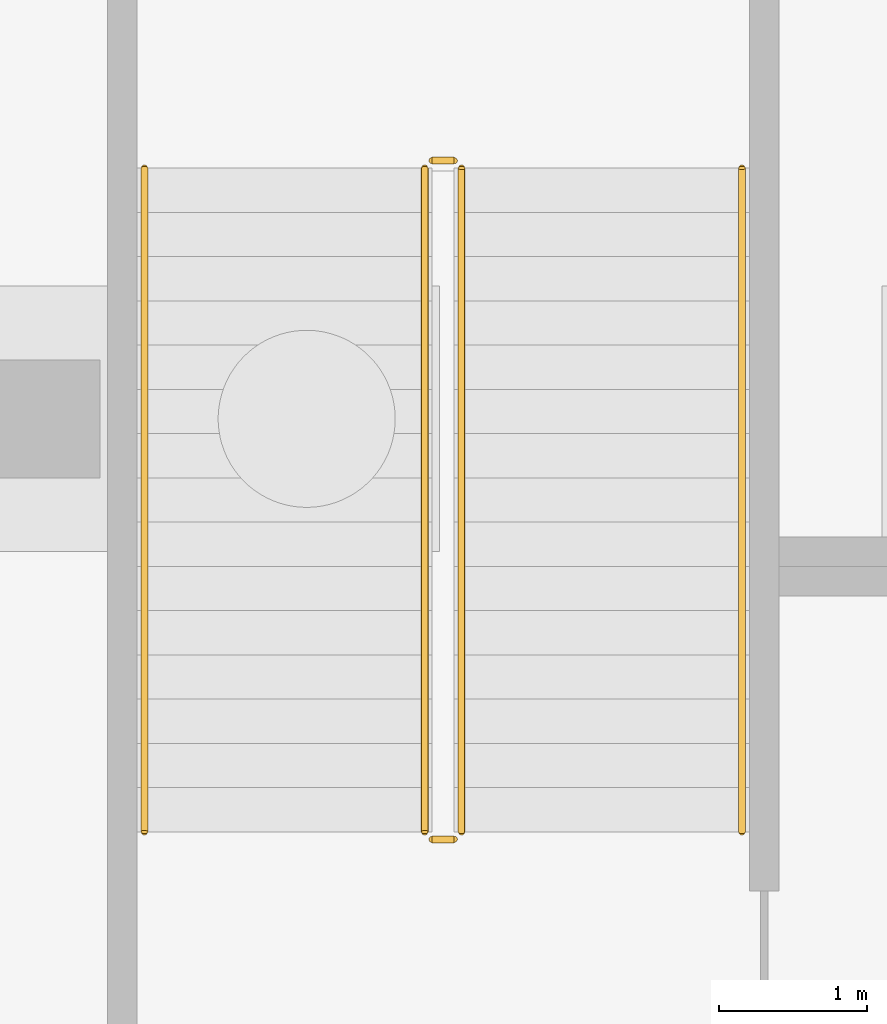
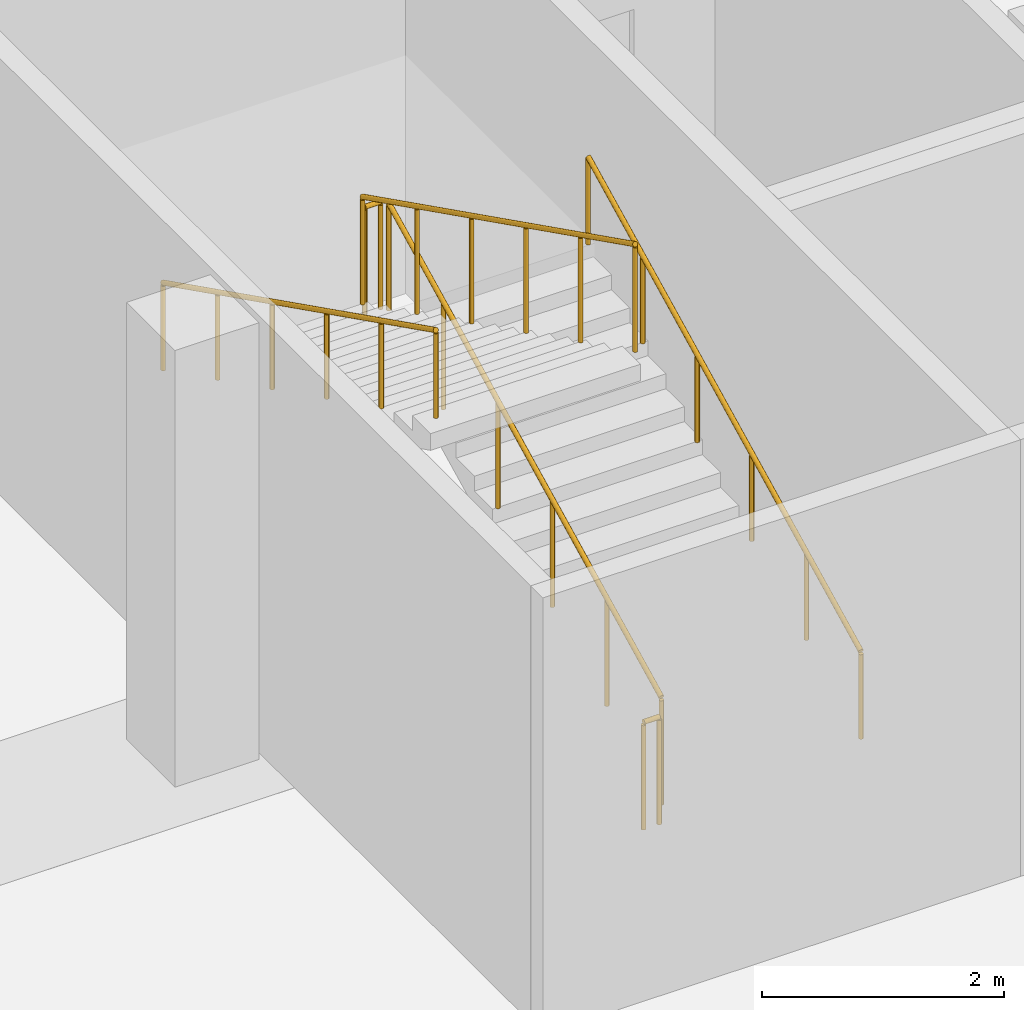
# One storey, part 38 of 46: 6 railings.
"""IFC4 building model written with IfcOpenShell, lengths in metres."""

from ifc_helpers import new_model, si_unit, direction, frame, origin, origin_2d, place, context, subcontext, project, spatial, circle, extrude, material, type_object, element, save


model = new_model("IFC4")

# Units and contexts
model_context = context("Model", 3, precision=1e-05, world=origin(), true_north=direction((0.0, 1.0)))
body_context = subcontext(model_context, "Body", "Model", "MODEL_VIEW")
ifc_project = project(units=[si_unit("LENGTHUNIT", "METRE"), si_unit("AREAUNIT", "SQUARE_METRE"), si_unit("VOLUMEUNIT", "CUBIC_METRE"), si_unit("PLANEANGLEUNIT", "RADIAN"), si_unit("MASSUNIT", "GRAM", prefix="KILO")], contexts=[model_context])

# Site, building, storey
site_placement = place(None, origin())
site = spatial("IfcSite", under=ifc_project, at=site_placement, CompositionType="ELEMENT")
building_placement = place(site_placement, origin())
building = spatial("IfcBuilding", under=site, at=building_placement, Name="Tamra Quay Hotel Tower", CompositionType="ELEMENT")
storey_placement = place(building_placement, frame((0.0, 0.0, -12.0)))
storey = spatial("IfcBuildingStorey", under=building, at=storey_placement, Name="B3", CompositionType="ELEMENT", Elevation=-12.0)

# Railings
ifc_material_1 = material(Name="Basement stair guard 1100")
railing_type_1 = type_object("IfcRailingType", Name="Basement stair guard 1100", PredefinedType="GUARDRAIL", material=ifc_material_1)
railing_1_placement = place(storey_placement, frame((22.949951171875, -66.800048828125, 0.14990234375)))
element("IfcRailing", 1, at=railing_1_placement, inside=storey, type_object=railing_type_1, Name="BSG", PredefinedType="GUARDRAIL", context=body_context, shape_type="SweptSolid", body=[
    extrude(circle(Radius=0.02392578125, at=origin_2d()), frame((0.0, 0.0, 1.076171875), z_axis=(0.0, 0.894427191, 0.4472135955), x_axis=(-1.0, 0.0, 0.0)), (0.0, 0.0, 1.0), 5.03125),
    extrude(circle(Radius=0.02099609375, at=origin_2d()), origin(), (0.0, 0.0, 1.0), 1.052001953125),
    extrude(circle(Radius=0.02099609375, at=origin_2d()), frame((0.0, 0.89990234375, 0.449951171875)), (0.0, 0.0, 1.0), 1.052001953125),
    extrude(circle(Radius=0.02099609375, at=origin_2d()), frame((0.0, 1.800048828125, 0.89990234375)), (0.0, 0.0, 1.0), 1.052001953125),
    extrude(circle(Radius=0.02099609375, at=origin_2d()), frame((0.0, 2.699951171875, 1.35009765625)), (0.0, 0.0, 1.0), 1.052001953125),
    extrude(circle(Radius=0.02099609375, at=origin_2d()), frame((0.0, 3.60009765625, 1.800048828125)), (0.0, 0.0, 1.0), 1.052001953125),
    extrude(circle(Radius=0.02099609375, at=origin_2d()), frame((0.0, 4.5, 2.25)), (0.0, 0.0, 1.0), 1.052001953125),
])
railing_2_placement = place(storey_placement, frame((22.89990234375, -62.25, 2.39990234375)))
element("IfcRailing", 2, at=railing_2_placement, inside=storey, type_object=railing_type_1, Name="BSG", PredefinedType="GUARDRAIL", context=body_context, shape_type="SweptSolid", body=[
    extrude(circle(Radius=0.02392578125, at=origin_2d()), frame((0.0, 0.0, 1.076171875), z_axis=(-1.0, 0.0, 0.0), x_axis=(0.0, -1.0, 0.0)), (0.0, 0.0, 1.0), 0.14990234375),
    extrude(circle(Radius=0.02099609375, at=origin_2d()), origin(), (0.0, 0.0, 1.0), 1.052001953125),
    extrude(circle(Radius=0.02099609375, at=origin_2d()), frame((-0.14990234375, 0.0, 0.0)), (0.0, 0.0, 1.0), 1.052001953125),
])
railing_3_placement = place(storey_placement, frame((22.699951171875, -62.300048828125, 2.550048828125)))
element("IfcRailing", 3, at=railing_3_placement, inside=storey, type_object=railing_type_1, Name="BSG", PredefinedType="GUARDRAIL", context=body_context, shape_type="SweptSolid", body=[
    extrude(circle(Radius=0.02392578125, at=origin_2d()), frame((0.0, 0.0, 1.076171875), z_axis=(0.0, -0.894427191, 0.4472135955), x_axis=(1.0, 0.0, 0.0)), (0.0, 0.0, 1.0), 5.03125),
    extrude(circle(Radius=0.02099609375, at=origin_2d()), origin(), (0.0, 0.0, 1.0), 1.052001953125),
    extrude(circle(Radius=0.02099609375, at=origin_2d()), frame((0.0, -0.89990234375, 0.449951171875)), (0.0, 0.0, 1.0), 1.052001953125),
    extrude(circle(Radius=0.02099609375, at=origin_2d()), frame((0.0, -1.800048828125, 0.89990234375)), (0.0, 0.0, 1.0), 1.052001953125),
    extrude(circle(Radius=0.02099609375, at=origin_2d()), frame((0.0, -2.699951171875, 1.35009765625)), (0.0, 0.0, 1.0), 1.052001953125),
    extrude(circle(Radius=0.02099609375, at=origin_2d()), frame((0.0, -3.60009765625, 1.800048828125)), (0.0, 0.0, 1.0), 1.052001953125),
    extrude(circle(Radius=0.02099609375, at=origin_2d()), frame((0.0, -4.5, 2.25)), (0.0, 0.0, 1.0), 1.052001953125),
])
railing_4_placement = place(storey_placement, frame((22.89990234375, -66.85009765625, 0.0)))
element("IfcRailing", 4, at=railing_4_placement, inside=storey, type_object=railing_type_1, Name="BSG", PredefinedType="GUARDRAIL", context=body_context, shape_type="SweptSolid", body=[
    extrude(circle(Radius=0.02392578125, at=origin_2d()), frame((0.0, 0.0, 1.076171875), z_axis=(-1.0, 0.0, 0.0), x_axis=(0.0, -1.0, 0.0)), (0.0, 0.0, 1.0), 0.14990234375),
    extrude(circle(Radius=0.02099609375, at=origin_2d()), origin(), (0.0, 0.0, 1.0), 1.052001953125),
    extrude(circle(Radius=0.02099609375, at=origin_2d()), frame((-0.14990234375, 0.0, 0.0)), (0.0, 0.0, 1.0), 1.052001953125),
])
ifc_material_2 = material(Name="Basement stair handrail 900")
railing_type_2 = type_object("IfcRailingType", Name="Basement stair handrail 900", PredefinedType="HANDRAIL", material=ifc_material_2)
railing_5_placement = place(storey_placement, frame((24.85009765625, -66.800048828125, 0.14990234375)))
element("IfcRailing", 5, at=railing_5_placement, inside=storey, type_object=railing_type_2, Name="BSH", PredefinedType="HANDRAIL", context=body_context, shape_type="SweptSolid", body=[
    extrude(circle(Radius=0.02392578125, at=origin_2d()), frame((0.0, 0.0, 0.8759765625), z_axis=(0.0, 0.894427191, 0.4472135955), x_axis=(-1.0, 0.0, 0.0)), (0.0, 0.0, 1.0), 5.03125),
    extrude(circle(Radius=0.02099609375, at=origin_2d()), origin(), (0.0, 0.0, 1.0), 0.851806640625),
    extrude(circle(Radius=0.02099609375, at=origin_2d()), frame((0.0, 0.89990234375, 0.449951171875)), (0.0, 0.0, 1.0), 0.851806640625),
    extrude(circle(Radius=0.02099609375, at=origin_2d()), frame((0.0, 1.800048828125, 0.89990234375)), (0.0, 0.0, 1.0), 0.851806640625),
    extrude(circle(Radius=0.02099609375, at=origin_2d()), frame((0.0, 2.699951171875, 1.35009765625)), (0.0, 0.0, 1.0), 0.851806640625),
    extrude(circle(Radius=0.02099609375, at=origin_2d()), frame((0.0, 3.60009765625, 1.800048828125)), (0.0, 0.0, 1.0), 0.851806640625),
    extrude(circle(Radius=0.02099609375, at=origin_2d()), frame((0.0, 4.5, 2.25)), (0.0, 0.0, 1.0), 0.851806640625),
])
railing_6_placement = place(storey_placement, frame((20.800048828125, -62.300048828125, 2.550048828125)))
element("IfcRailing", 6, at=railing_6_placement, inside=storey, type_object=railing_type_2, Name="BSH", PredefinedType="HANDRAIL", context=body_context, shape_type="SweptSolid", body=[
    extrude(circle(Radius=0.02392578125, at=origin_2d()), frame((0.0, 0.0, 0.8759765625), z_axis=(0.0, -0.894427191, 0.4472135955), x_axis=(1.0, 0.0, 0.0)), (0.0, 0.0, 1.0), 5.03125),
    extrude(circle(Radius=0.02099609375, at=origin_2d()), origin(), (0.0, 0.0, 1.0), 0.851806640625),
    extrude(circle(Radius=0.02099609375, at=origin_2d()), frame((0.0, -0.89990234375, 0.449951171875)), (0.0, 0.0, 1.0), 0.851806640625),
    extrude(circle(Radius=0.02099609375, at=origin_2d()), frame((0.0, -1.800048828125, 0.89990234375)), (0.0, 0.0, 1.0), 0.851806640625),
    extrude(circle(Radius=0.02099609375, at=origin_2d()), frame((0.0, -2.699951171875, 1.35009765625)), (0.0, 0.0, 1.0), 0.851806640625),
    extrude(circle(Radius=0.02099609375, at=origin_2d()), frame((0.0, -3.60009765625, 1.800048828125)), (0.0, 0.0, 1.0), 0.851806640625),
    extrude(circle(Radius=0.02099609375, at=origin_2d()), frame((0.0, -4.5, 2.25)), (0.0, 0.0, 1.0), 0.851806640625),
])

save(model, "model.ifc")
